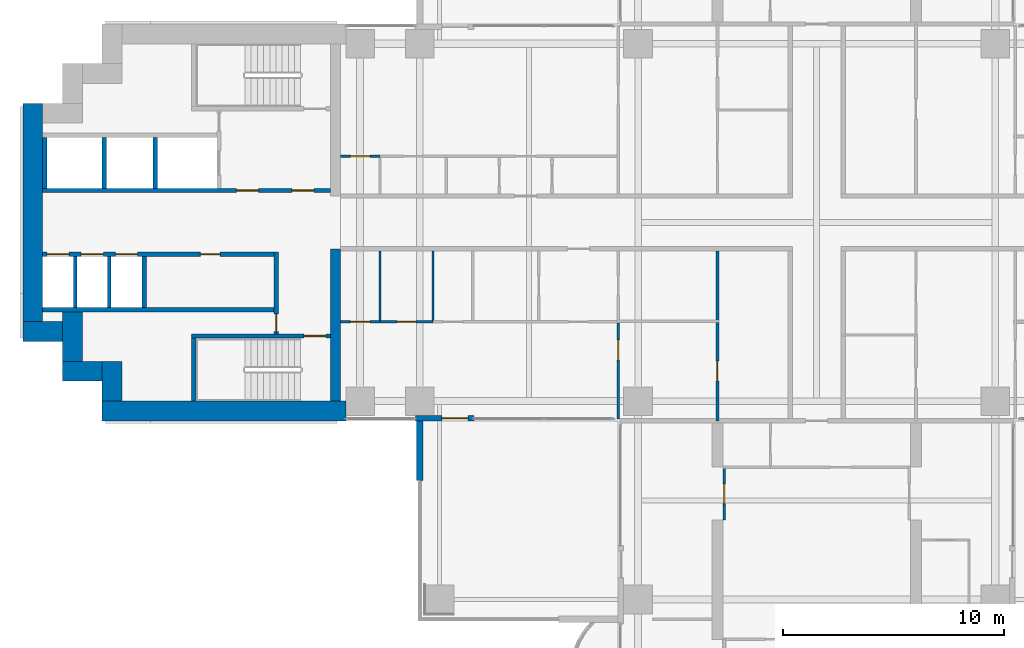
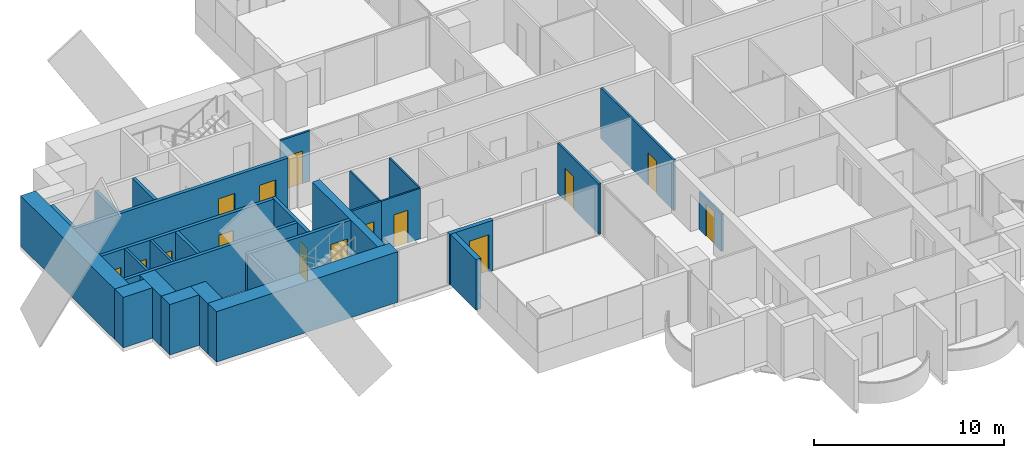
# One storey, part 11 of 22: 29 walls, 15 doors, 15 openings.
"""IFC4 building model written with IfcOpenShell, lengths in metres."""

import ifcopenshell
import ifcopenshell.guid

model = None  # the IFC model being written
_history = None  # IfcOwnerHistory: only IFC2X3 demands one
_inside = {}  # id of a spatial element -> (the spatial element, [elements in it])
_under = {}  # id of a project, library or spatial element -> (it, [spatial elements below it])
_declared = {}  # id of a project -> (the project, [libraries it declares])
_typed = {}  # id of a type object -> (the type object, [elements of that type])
_made_of = {}  # id of a material, layer set ... -> (it, [elements and type objects made of it])


def new_model(schema):
    """Start an empty IFC model of exactly this schema.

    Asked for "IFC4X3", IfcOpenShell would pick the latest addendum, in which some entities
    have other attributes; the version numbers below select the first issue.
    IFC2X3 requires an IfcOwnerHistory on every rooted entity: one is made here for all.
    """
    global model, _history
    if schema == "IFC4X3":
        model = ifcopenshell.file(schema_version=(4, 3, 0, 0))
    else:
        model = ifcopenshell.file(schema=schema)
    _inside.clear()
    _under.clear()
    _declared.clear()
    _typed.clear()
    _made_of.clear()
    _history = None
    if model.schema == "IFC2X3":
        org = make("IfcOrganization", Name="unknown")
        user = make(
            "IfcPersonAndOrganization",
            ThePerson=make("IfcPerson", FamilyName="unknown"),
            TheOrganization=org,
        )
        app = make(
            "IfcApplication",
            ApplicationDeveloper=org,
            Version="unknown",
            ApplicationFullName="unknown",
            ApplicationIdentifier="unknown",
        )
        _history = make(
            "IfcOwnerHistory",
            OwningUser=user,
            OwningApplication=app,
            ChangeAction="ADDED",
            CreationDate=0,
        )
    return model


def make(cls, **values):
    """One entity of the class cls with the attributes given. An attribute that is None is left unset."""
    return model.create_entity(
        cls, **{name: value for name, value in values.items() if value is not None}
    )


def rooted(cls, **values):
    """An entity with a GlobalId (a new one), such as an element, a storey or a relation."""
    return make(cls, GlobalId=ifcopenshell.guid.new(), OwnerHistory=_history, **values)


def si_unit(unit_type, name, prefix=None):
    """IfcSIUnit, for example si_unit("LENGTHUNIT", "METRE", prefix="MILLI")."""
    return make("IfcSIUnit", UnitType=unit_type, Prefix=prefix, Name=name)


def assignment(units):
    """IfcUnitAssignment: the units of a project."""
    return None if units is None else make("IfcUnitAssignment", Units=units)


def point(xyz):
    """IfcCartesianPoint."""
    return None if xyz is None else make("IfcCartesianPoint", Coordinates=xyz)


def direction(xyz):
    """IfcDirection."""
    return None if xyz is None else make("IfcDirection", DirectionRatios=xyz)


def frame(location, z_axis=None, x_axis=None):
    """IfcAxis2Placement3D, a coordinate frame: its origin and axes. An axis left out is left unset."""
    return make(
        "IfcAxis2Placement3D",
        Location=point(location),
        Axis=direction(z_axis),
        RefDirection=direction(x_axis),
    )


def frame_2d(location, x_axis=None):
    """IfcAxis2Placement2D, a coordinate frame in the plane: its origin and x axis."""
    return make(
        "IfcAxis2Placement2D", Location=point(location), RefDirection=direction(x_axis)
    )


def origin():
    """The frame at (0, 0, 0) with its axes left unset."""
    return frame((0.0, 0.0, 0.0))


def place(relative_to, where):
    """IfcLocalPlacement: puts the frame where relative to a parent placement (None: the world)."""
    return make(
        "IfcLocalPlacement", PlacementRelTo=relative_to, RelativePlacement=where
    )


def context(
    kind, dimensions, precision=None, world=None, true_north=None, identifier=None
):
    """IfcGeometricRepresentationContext, for example the 3D "Model" context."""
    return make(
        "IfcGeometricRepresentationContext",
        ContextIdentifier=identifier,
        ContextType=kind,
        CoordinateSpaceDimension=dimensions,
        Precision=precision,
        WorldCoordinateSystem=world,
        TrueNorth=true_north,
    )


def subcontext(parent, identifier, kind, view, scale=None):
    """IfcGeometricRepresentationSubContext, for example "Body" below "Model"."""
    return make(
        "IfcGeometricRepresentationSubContext",
        ContextIdentifier=identifier,
        ContextType=kind,
        ParentContext=parent,
        TargetScale=scale,
        TargetView=view,
    )


def project(units=None, contexts=None):
    """IfcProject with its units and contexts."""
    return rooted(
        "IfcProject",
        Name="project",
        RepresentationContexts=contexts,
        UnitsInContext=assignment(units),
    )


def spatial(cls, under=None, at=None, **own):
    """A site, building, storey or space (cls), placed at a placement, below another one or the project."""
    s = rooted(cls, ObjectPlacement=at, **own)
    if under is not None:
        _under.setdefault(under.id(), (under, []))[1].append(s)
    return s


def profile(cls, at=None, kind="AREA", **sizes):
    """A parametric profile (cls). Its sizes go by their IFC names, for example OverallWidth=200.0."""
    return make(cls, ProfileType=kind, Position=at, **sizes)


def rectangle(**sizes):
    """IfcRectangleProfileDef."""
    return profile("IfcRectangleProfileDef", **sizes)


def extrude(swept, where, along, depth):
    """IfcExtrudedAreaSolid: the profile swept, set in the frame where, extruded along a direction by depth."""
    return make(
        "IfcExtrudedAreaSolid",
        SweptArea=swept,
        Position=where,
        ExtrudedDirection=direction(along),
        Depth=depth,
    )


def shape(context_of_items, identifier, shape_type, items):
    """IfcShapeRepresentation: the items that make up one representation, for example the "Body"."""
    return make(
        "IfcShapeRepresentation",
        ContextOfItems=context_of_items,
        RepresentationIdentifier=identifier,
        RepresentationType=shape_type,
        Items=items,
    )


def material(Name=None, Category=None):
    """IfcMaterial."""
    return make("IfcMaterial", Name=Name, Category=Category)


def layer(
    of_material, thickness, ventilated=None, Name=None, Category=None, Priority=None
):
    """IfcMaterialLayer: one layer of a wall or slab, of a material (None: an air gap)."""
    return make(
        "IfcMaterialLayer",
        Material=of_material,
        LayerThickness=thickness,
        IsVentilated=ventilated,
        Name=Name,
        Category=Category,
        Priority=Priority,
    )


def layer_set(layers, Name=None):
    """IfcMaterialLayerSet."""
    return make("IfcMaterialLayerSet", MaterialLayers=layers, LayerSetName=Name)


def made_of(thing, what):
    """Note that an element or type object is made of a material, layer set ...; save() writes the relation."""
    if what is not None:
        _made_of.setdefault(what.id(), (what, []))[1].append(thing)
    return thing


def type_object(cls, material=None, **own):
    """A type object (cls), such as IfcWallType, which elements share."""
    return made_of(rooted(cls, **own), material)


def element(
    cls,
    number,
    at=None,
    inside=None,
    cuts=None,
    type_object=None,
    material=None,
    context=None,
    identifier="Body",
    shape_type=None,
    held_by="IfcProductDefinitionShape",
    body=None,
    shapes=None,
    **own,
):
    """One element of the class cls, such as IfcWall. Its Tag is "e" and its number.

    at: its placement. inside: the storey or other place that contains it. cuts: it is an
    opening in that element (IfcRelVoidsElement). A single representation is given by context,
    identifier, shape_type and body (its items); several are given by shapes. held_by: the class
    of the entity that holds the representations. save() writes the other relations.
    """
    e = rooted(cls, Tag="e%d" % number, ObjectPlacement=at, **own)
    if body is not None:
        shapes = [shape(context, identifier, shape_type, body)]
    if shapes is not None:
        e.Representation = make(held_by, Representations=shapes)
    if inside is not None:
        _inside.setdefault(inside.id(), (inside, []))[1].append(e)
    if cuts is not None:
        rooted(
            "IfcRelVoidsElement", RelatingBuildingElement=cuts, RelatedOpeningElement=e
        )
    if type_object is not None:
        _typed.setdefault(type_object.id(), (type_object, []))[1].append(e)
    return made_of(e, material)


def fill(opening, filler):
    """IfcRelFillsElement: the door or window that sits in an opening."""
    return rooted(
        "IfcRelFillsElement",
        RelatingOpeningElement=opening,
        RelatedBuildingElement=filler,
    )


def aggregate(whole, parts):
    """IfcRelAggregates: a whole, such as a stair, and the parts it consists of."""
    return rooted("IfcRelAggregates", RelatingObject=whole, RelatedObjects=parts)


def save(model, path):
    """Write the relations noted so far, then the file.

    IfcRelAggregates (storeys below a building ...), IfcRelContainedInSpatialStructure (elements
    in a storey), IfcRelDefinesByType, IfcRelAssociatesMaterial and IfcRelDeclares: one each for
    every whole, place, type object, material and project.
    """
    for whole, parts in _under.values():
        aggregate(whole, parts)
    for where, things in _inside.values():
        rooted(
            "IfcRelContainedInSpatialStructure",
            RelatedElements=things,
            RelatingStructure=where,
        )
    for kind, things in _typed.values():
        rooted("IfcRelDefinesByType", RelatedObjects=things, RelatingType=kind)
    for what, things in _made_of.values():
        rooted("IfcRelAssociatesMaterial", RelatedObjects=things, RelatingMaterial=what)
    for by, libraries in _declared.values():
        rooted("IfcRelDeclares", RelatingContext=by, RelatedDefinitions=libraries)
    model.write(path)


model = new_model("IFC4")

# Units and contexts
model_context = context("Model", 3, precision=1e-05, world=origin(), true_north=direction((0.0, 1.0)))
body_context = subcontext(model_context, "Body", "Model", "MODEL_VIEW")
ifc_project = project(units=[si_unit("LENGTHUNIT", "METRE"), si_unit("AREAUNIT", "SQUARE_METRE"), si_unit("VOLUMEUNIT", "CUBIC_METRE"), si_unit("PLANEANGLEUNIT", "RADIAN"), si_unit("MASSUNIT", "GRAM", prefix="KILO")], contexts=[model_context])

# Site, building, storey
site_placement = place(None, origin())
site = spatial("IfcSite", under=ifc_project, at=site_placement, CompositionType="ELEMENT")
building_placement = place(site_placement, origin())
building = spatial("IfcBuilding", under=site, at=building_placement, Name="Perihelion Cross Residences", CompositionType="ELEMENT")
storey_placement = place(building_placement, frame((0.0, 0.0, 50.5)))
storey = spatial("IfcBuildingStorey", under=building, at=storey_placement, Name="L09", CompositionType="ELEMENT", Elevation=50.5)

# Wall, opening, door
ifc_material_1 = material(Name="Concrete C30/37, bronze-clad", Category="concrete")
ifc_layer_1 = layer(ifc_material_1, 0.25)
ifc_layer_set_1 = layer_set([ifc_layer_1], Name="Bronze-clad pier wall 250")
wall_type_1 = type_object("IfcWallType", Name="Bronze-clad pier wall 250", PredefinedType="SOLIDWALL", material=ifc_layer_set_1)
wall_1_placement = place(storey_placement, frame((-18.199951171875, -8.875, 0.0), z_axis=(0.0, 0.0, 1.0), x_axis=(1.0, 0.0, 0.0)))
wall_1 = element("IfcWall", 1, at=wall_1_placement, inside=storey, type_object=wall_type_1, Name="Wall FW1 L09 west side south bay 2 pier", PredefinedType="SOLIDWALL", context=body_context, shape_type="SweptSolid", body=[
    extrude(rectangle(XDim=2.64990234375, YDim=0.25, at=frame_2d((1.324951171875, 0.0))), origin(), (0.0, 0.0, 1.0), 3.25),
])
opening_1_placement = place(wall_1_placement, frame((1.199951171875, 0.0, 0.0)))
opening_1 = element("IfcOpeningElement", 2, at=opening_1_placement, cuts=wall_1, Name="Opening L09.E09", PredefinedType="OPENING", context=body_context, shape_type="SweptSolid", body=[
    extrude(rectangle(XDim=1.199951171875, YDim=2.39990234375, at=frame_2d((0.60009765625, 1.199951171875))), frame((0.0, 0.135009765625, 0.0), z_axis=(0.0, -1.0, 0.0), x_axis=(1.0, 0.0, 0.0)), (0.0, 0.0, 1.0), 0.27001953125),
])
ifc_material_2 = material(Name="Bronze anodised aluminium, glazed", Category="aluminium")
door_type_1 = type_object("IfcDoorType", Name="Balcony door 1200 x 2400", OperationType="NOTDEFINED", PredefinedType="DOOR", material=ifc_material_2)
door_1_placement = place(opening_1_placement, origin())
door_1 = element("IfcDoor", 3, at=door_1_placement, inside=storey, type_object=door_type_1, Name="Door L09.E09 west side south bay 2", OperationType="SINGLE_SWING_RIGHT", OverallHeight=2.39990234375, OverallWidth=1.199951171875, PredefinedType="DOOR", context=body_context, shape_type="SweptSolid", body=[
    extrude(rectangle(XDim=1.199951171875, YDim=2.39990234375, at=frame_2d((0.60009765625, 1.199951171875))), frame((0.0, 0.02490234375, 0.0), z_axis=(0.0, -1.0, 0.0), x_axis=(1.0, 0.0, 0.0)), (0.0, 0.0, 1.0), 0.050048828125),
])
fill(opening_1, door_1)

# Walls
ifc_material_3 = material(Name="Concrete C60/75", Category="concrete")
ifc_layer_2 = layer(ifc_material_3, 0.449951171875)
ifc_layer_set_2 = layer_set([ifc_layer_2], Name="Core wall, inner 450")
wall_type_2 = type_object("IfcWallType", Name="Core wall, inner 450", PredefinedType="SHEAR", material=ifc_layer_set_2)
wall_2_placement = place(storey_placement, frame((-21.824951171875, -8.10009765625, 0.0), z_axis=(0.0, 0.0, 1.0), x_axis=(0.0, 1.0, 0.0)))
element("IfcWall", 4, at=wall_2_placement, inside=storey, type_object=wall_type_2, Name="West core core wall, inner", PredefinedType="SHEAR", context=body_context, shape_type="SweptSolid", body=[
    extrude(rectangle(XDim=6.900146484375, YDim=0.449951171875, at=frame_2d((3.4501953125, 0.0))), origin(), (0.0, 0.0, 1.0), 3.25),
])
ifc_material_4 = material(Name="Concrete C60/75", Category="concrete")
ifc_layer_3 = layer(ifc_material_4, 0.89990234375)
ifc_layer_set_3 = layer_set([ifc_layer_3], Name="Core wall, outer 900")
wall_type_3 = type_object("IfcWallType", Name="Core wall, outer 900", PredefinedType="SHEAR", material=ifc_layer_set_3)
wall_3_placement = place(storey_placement, frame((-32.39990234375, -8.550048828125, 0.0), z_axis=(0.0, 0.0, 1.0), x_axis=(1.0, 0.0, 0.0)))
element("IfcWall", 5, at=wall_3_placement, inside=storey, type_object=wall_type_3, Name="West core core wall, outer", PredefinedType="SHEAR", context=body_context, shape_type="SweptSolid", body=[
    extrude(rectangle(XDim=11.0498046875, YDim=0.89990234375, at=frame_2d((5.52490234375, 0.0))), origin(), (0.0, 0.0, 1.0), 3.25),
])
for number, where, z_axis, x_axis, name in (
    (6, (-31.949951171875, -8.10009765625, 0.0), (0.0, 0.0, 1.0), (0.0, 1.0, 0.0), "West core core wall, outer"),
    (7, (-34.199951171875, -6.75, 0.0), (0.0, 0.0, 1.0), (1.0, 0.0, 0.0), "West core core wall, outer"),
):
    element("IfcWall", number, at=place(storey_placement, frame(where, z_axis=z_axis, x_axis=x_axis)), inside=storey, type_object=wall_type_3, Name=name, PredefinedType="SHEAR", context=body_context, shape_type="SweptSolid", body=[
        extrude(rectangle(XDim=1.800048828125, YDim=0.89990234375, at=frame_2d((0.89990234375, 0.0))), origin(), (0.0, 0.0, 1.0), 3.25),
    ])
wall_4_placement = place(storey_placement, frame((-33.75, -6.300048828125, 0.0), z_axis=(0.0, 0.0, 1.0), x_axis=(0.0, 1.0, 0.0)))
element("IfcWall", 8, at=wall_4_placement, inside=storey, type_object=wall_type_3, Name="West core core wall, outer", PredefinedType="SHEAR", context=body_context, shape_type="SweptSolid", body=[
    extrude(rectangle(XDim=2.25, YDim=0.89990234375, at=frame_2d((1.125, 0.0))), origin(), (0.0, 0.0, 1.0), 3.25),
])
wall_5_placement = place(storey_placement, frame((-36.0, -4.949951171875, 0.0), z_axis=(0.0, 0.0, 1.0), x_axis=(1.0, 0.0, 0.0)))
element("IfcWall", 9, at=wall_5_placement, inside=storey, type_object=wall_type_3, Name="West core core wall, outer", PredefinedType="SHEAR", context=body_context, shape_type="SweptSolid", body=[
    extrude(rectangle(XDim=1.800048828125, YDim=0.89990234375, at=frame_2d((0.89990234375, 0.0))), origin(), (0.0, 0.0, 1.0), 3.25),
])
wall_6_placement = place(storey_placement, frame((-35.550048828125, -4.5, 0.0), z_axis=(0.0, 0.0, 1.0), x_axis=(0.0, 1.0, 0.0)))
element("IfcWall", 10, at=wall_6_placement, inside=storey, type_object=wall_type_3, Name="West core core wall, outer", PredefinedType="SHEAR", context=body_context, shape_type="SweptSolid", body=[
    extrude(rectangle(XDim=9.89990234375, YDim=0.89990234375, at=frame_2d((4.949951171875, 0.0))), origin(), (0.0, 0.0, 1.0), 3.25),
])

# Wall, opening, door
ifc_material_5 = material(Name="Plasterboard partition")
ifc_layer_4 = layer(ifc_material_5, 0.1201171875)
ifc_layer_set_4 = layer_set([ifc_layer_4], Name="Infill panel 120")
wall_type_4 = type_object("IfcWallType", Name="Infill panel 120", PredefinedType="PARTITIONING", material=ifc_layer_set_4)
wall_7_placement = place(storey_placement, frame((-4.18994140625, -11.10009765625, 0.0), z_axis=(0.0, 0.0, 1.0), x_axis=(0.0, -1.0, 0.0)))
wall_7 = element("IfcWall", 11, at=wall_7_placement, inside=storey, type_object=wall_type_4, Name="Partition L09 WI07", PredefinedType="PARTITIONING", context=body_context, shape_type="SweptSolid", body=[
    extrude(rectangle(XDim=2.39990234375, YDim=0.1201171875, at=frame_2d((1.199951171875, 0.0))), origin(), (0.0, 0.0, 1.0), 2.39990234375),
])
opening_2_placement = place(wall_7_placement, frame((0.75, 0.0, 0.0)))
opening_2 = element("IfcOpeningElement", 12, at=opening_2_placement, cuts=wall_7, Name="Opening L09.A57", PredefinedType="OPENING", context=body_context, shape_type="SweptSolid", body=[
    extrude(rectangle(XDim=0.89990234375, YDim=2.10009765625, at=frame_2d((0.449951171875, 1.050048828125))), frame((0.0, 0.070068359375, 0.0), z_axis=(0.0, -1.0, 0.0), x_axis=(1.0, 0.0, 0.0)), (0.0, 0.0, 1.0), 0.14013671875),
])
ifc_material_6 = material(Name="Timber door leaf", Category="wood")
door_type_2 = type_object("IfcDoorType", Name="Interior room door 900 x 2100", OperationType="SINGLE_SWING_LEFT", PredefinedType="DOOR", material=ifc_material_6)
door_2_placement = place(opening_2_placement, origin())
door_2 = element("IfcDoor", 13, at=door_2_placement, inside=storey, type_object=door_type_2, Name="Door L09.A57", OperationType="SINGLE_SWING_LEFT", OverallHeight=2.10009765625, OverallWidth=0.89990234375, PredefinedType="DOOR", context=body_context, shape_type="SweptSolid", body=[
    extrude(rectangle(XDim=0.89990234375, YDim=2.10009765625, at=frame_2d((0.449951171875, 1.050048828125))), frame((0.0, 0.02490234375, 0.0), z_axis=(0.0, -1.0, 0.0), x_axis=(1.0, 0.0, 0.0)), (0.0, 0.0, 1.0), 0.050048828125),
])
fill(opening_2, door_2)

ifc_material_7 = material(Name="Concrete C50/60", Category="concrete")
ifc_layer_5 = layer(ifc_material_7, 0.199951171875)
ifc_layer_set_5 = layer_set([ifc_layer_5], Name="Lobby wall 200")
wall_type_5 = type_object("IfcWallType", Name="Lobby wall 200", PredefinedType="SOLIDWALL", material=ifc_layer_set_5)
wall_8_placement = place(storey_placement, frame((-24.5, -5.050048828125, 0.0), z_axis=(0.0, 0.0, 1.0), x_axis=(0.0, 1.0, 0.0)))
wall_8 = element("IfcWall", 14, at=wall_8_placement, inside=storey, type_object=wall_type_5, Name="West core lobby wall", PredefinedType="SOLIDWALL", context=body_context, shape_type="SweptSolid", body=[
    extrude(rectangle(XDim=3.699951171875, YDim=0.199951171875, at=frame_2d((1.85009765625, 0.0))), origin(), (0.0, 0.0, 1.0), 3.25),
])
opening_3_placement = place(wall_8_placement, frame((0.10009765625, 0.0, 0.0)))
opening_3 = element("IfcOpeningElement", 15, at=opening_3_placement, cuts=wall_8, Name="Opening L09.C19", PredefinedType="OPENING", context=body_context, shape_type="SweptSolid", body=[
    extrude(rectangle(XDim=0.800048828125, YDim=2.10009765625, at=frame_2d((0.39990234375, 1.050048828125))), frame((0.0, 0.10986328125, 0.0), z_axis=(0.0, -1.0, 0.0), x_axis=(1.0, 0.0, 0.0)), (0.0, 0.0, 1.0), 0.219970703125),
])
ifc_material_8 = material(Name="Steel, powder coated", Category="steel")
door_type_3 = type_object("IfcDoorType", Name="Riser door 800", OperationType="SINGLE_SWING_LEFT", PredefinedType="DOOR", material=ifc_material_8)
door_3_placement = place(opening_3_placement, origin())
door_3 = element("IfcDoor", 16, at=door_3_placement, inside=storey, type_object=door_type_3, Name="West core riser door", OperationType="SINGLE_SWING_LEFT", OverallHeight=2.10009765625, OverallWidth=0.800048828125, PredefinedType="DOOR", context=body_context, shape_type="SweptSolid", body=[
    extrude(rectangle(XDim=0.800048828125, YDim=2.10009765625, at=frame_2d((0.39990234375, 1.050048828125))), frame((0.0, 0.02490234375, 0.0), z_axis=(0.0, -1.0, 0.0), x_axis=(1.0, 0.0, 0.0)), (0.0, 0.0, 1.0), 0.050048828125),
])
fill(opening_3, door_3)

ifc_material_9 = material(Name="Plasterboard partition")
ifc_layer_6 = layer(ifc_material_9, 0.1201171875)
ifc_layer_set_6 = layer_set([ifc_layer_6], Name="Partition wall 120")
wall_type_6 = type_object("IfcWallType", Name="Partition wall 120", PredefinedType="PARTITIONING", material=ifc_layer_set_6)
wall_9_placement = place(storey_placement, frame((-21.60009765625, 3.0, 0.0), z_axis=(0.0, 0.0, 1.0), x_axis=(1.0, 0.0, 0.0)))
wall_9 = element("IfcWall", 17, at=wall_9_placement, inside=storey, type_object=wall_type_6, Name="Partition L09 W038", PredefinedType="PARTITIONING", context=body_context, shape_type="SweptSolid", body=[
    extrude(rectangle(XDim=1.800048828125, YDim=0.1201171875, at=frame_2d((0.89990234375, 0.0))), origin(), (0.0, 0.0, 1.0), 3.25),
])
opening_4_placement = place(wall_9_placement, frame((0.449951171875, 0.0, 0.0)))
opening_4 = element("IfcOpeningElement", 18, at=opening_4_placement, cuts=wall_9, Name="Opening L09.A19", PredefinedType="OPENING", context=body_context, shape_type="SweptSolid", body=[
    extrude(rectangle(XDim=0.89990234375, YDim=2.10009765625, at=frame_2d((0.449951171875, 1.050048828125))), frame((0.0, 0.070068359375, 0.0), z_axis=(0.0, -1.0, 0.0), x_axis=(1.0, 0.0, 0.0)), (0.0, 0.0, 1.0), 0.14013671875),
])
door_4_placement = place(opening_4_placement, origin())
door_4 = element("IfcDoor", 19, at=door_4_placement, inside=storey, type_object=door_type_2, Name="Door L09.A19", OperationType="SINGLE_SWING_RIGHT", OverallHeight=2.10009765625, OverallWidth=0.89990234375, PredefinedType="DOOR", context=body_context, shape_type="SweptSolid", body=[
    extrude(rectangle(XDim=0.89990234375, YDim=2.10009765625, at=frame_2d((0.449951171875, 1.050048828125))), frame((0.0, 0.02490234375, 0.0), z_axis=(0.0, -1.0, 0.0), x_axis=(1.0, 0.0, 0.0)), (0.0, 0.0, 1.0), 0.050048828125),
])
fill(opening_4, door_4)

wall_10_placement = place(storey_placement, frame((-19.800048828125, -4.5, 0.0), z_axis=(0.0, 0.0, 1.0), x_axis=(-1.0, 0.0, 0.0)))
wall_10 = element("IfcWall", 20, at=wall_10_placement, inside=storey, type_object=wall_type_6, Name="Partition L09 W049", PredefinedType="PARTITIONING", context=body_context, shape_type="SweptSolid", body=[
    extrude(rectangle(XDim=1.800048828125, YDim=0.1201171875, at=frame_2d((0.89990234375, 0.0))), origin(), (0.0, 0.0, 1.0), 3.25),
])
opening_5_placement = place(wall_10_placement, frame((0.449951171875, 0.0, 0.0)))
opening_5 = element("IfcOpeningElement", 21, at=opening_5_placement, cuts=wall_10, Name="Opening L09.A25", PredefinedType="OPENING", context=body_context, shape_type="SweptSolid", body=[
    extrude(rectangle(XDim=0.89990234375, YDim=2.10009765625, at=frame_2d((0.449951171875, 1.050048828125))), frame((0.0, 0.070068359375, 0.0), z_axis=(0.0, -1.0, 0.0), x_axis=(1.0, 0.0, 0.0)), (0.0, 0.0, 1.0), 0.14013671875),
])
door_5_placement = place(opening_5_placement, origin())
door_5 = element("IfcDoor", 22, at=door_5_placement, inside=storey, type_object=door_type_2, Name="Door L09.A25", OperationType="SINGLE_SWING_LEFT", OverallHeight=2.10009765625, OverallWidth=0.89990234375, PredefinedType="DOOR", context=body_context, shape_type="SweptSolid", body=[
    extrude(rectangle(XDim=0.89990234375, YDim=2.10009765625, at=frame_2d((0.449951171875, 1.050048828125))), frame((0.0, 0.02490234375, 0.0), z_axis=(0.0, -1.0, 0.0), x_axis=(1.0, 0.0, 0.0)), (0.0, 0.0, 1.0), 0.050048828125),
])
fill(opening_5, door_5)

wall_11_placement = place(storey_placement, frame((-9.0, -4.56005859375, 0.0), z_axis=(0.0, 0.0, 1.0), x_axis=(0.0, -1.0, 0.0)))
wall_11 = element("IfcWall", 23, at=wall_11_placement, inside=storey, type_object=wall_type_6, Name="Partition L09 W050", PredefinedType="PARTITIONING", context=body_context, shape_type="SweptSolid", body=[
    extrude(rectangle(XDim=4.35986328125, YDim=0.1201171875, at=frame_2d((2.179931640625, 0.0))), origin(), (0.0, 0.0, 1.0), 3.25),
])
opening_6_placement = place(wall_11_placement, frame((0.77001953125, 0.0, 0.0)))
opening_6 = element("IfcOpeningElement", 24, at=opening_6_placement, cuts=wall_11, Name="Opening L09.A30", PredefinedType="OPENING", context=body_context, shape_type="SweptSolid", body=[
    extrude(rectangle(XDim=0.89990234375, YDim=2.10009765625, at=frame_2d((0.449951171875, 1.050048828125))), frame((0.0, 0.070068359375, 0.0), z_axis=(0.0, -1.0, 0.0), x_axis=(1.0, 0.0, 0.0)), (0.0, 0.0, 1.0), 0.14013671875),
])
door_6_placement = place(opening_6_placement, origin())
door_6 = element("IfcDoor", 25, at=door_6_placement, inside=storey, type_object=door_type_2, Name="Door L09.A30", OperationType="SINGLE_SWING_LEFT", OverallHeight=2.10009765625, OverallWidth=0.89990234375, PredefinedType="DOOR", context=body_context, shape_type="SweptSolid", body=[
    extrude(rectangle(XDim=0.89990234375, YDim=2.10009765625, at=frame_2d((0.449951171875, 1.050048828125))), frame((0.0, 0.02490234375, 0.0), z_axis=(0.0, -1.0, 0.0), x_axis=(1.0, 0.0, 0.0)), (0.0, 0.0, 1.0), 0.050048828125),
])
fill(opening_6, door_6)

wall_12_placement = place(storey_placement, frame((-4.5, -1.300048828125, 0.0), z_axis=(0.0, 0.0, 1.0), x_axis=(0.0, -1.0, 0.0)))
wall_12 = element("IfcWall", 26, at=wall_12_placement, inside=storey, type_object=wall_type_6, Name="Partition L09 W052", PredefinedType="PARTITIONING", context=body_context, shape_type="SweptSolid", body=[
    extrude(rectangle(XDim=7.699951171875, YDim=0.1201171875, at=frame_2d((3.85009765625, 0.0))), origin(), (0.0, 0.0, 1.0), 3.25),
])
opening_7_placement = place(wall_12_placement, frame((4.988037109375, 0.0, 0.0)))
opening_7 = element("IfcOpeningElement", 27, at=opening_7_placement, cuts=wall_12, Name="Opening L09.A29", PredefinedType="OPENING", context=body_context, shape_type="SweptSolid", body=[
    extrude(rectangle(XDim=0.89990234375, YDim=2.10009765625, at=frame_2d((0.449951171875, 1.050048828125))), frame((0.0, 0.070068359375, 0.0), z_axis=(0.0, -1.0, 0.0), x_axis=(1.0, 0.0, 0.0)), (0.0, 0.0, 1.0), 0.14013671875),
])
door_7_placement = place(opening_7_placement, origin())
door_7 = element("IfcDoor", 28, at=door_7_placement, inside=storey, type_object=door_type_2, Name="Door L09.A29", OperationType="SINGLE_SWING_RIGHT", OverallHeight=2.10009765625, OverallWidth=0.89990234375, PredefinedType="DOOR", context=body_context, shape_type="SweptSolid", body=[
    extrude(rectangle(XDim=0.89990234375, YDim=2.10009765625, at=frame_2d((0.449951171875, 1.050048828125))), frame((0.0, 0.02490234375, 0.0), z_axis=(0.0, -1.0, 0.0), x_axis=(1.0, 0.0, 0.0)), (0.0, 0.0, 1.0), 0.050048828125),
])
fill(opening_7, door_7)

# Walls
ifc_material_10 = material(Name="Precast concrete C50/60", Category="concrete")
ifc_layer_7 = layer(ifc_material_10, 0.300048828125)
ifc_layer_set_7 = layer_set([ifc_layer_7], Name="Precast concrete C50/60 blade wall 300")
wall_type_7 = type_object("IfcWallType", Name="Precast concrete C50/60 blade wall 300", PredefinedType="SOLIDWALL", material=ifc_layer_set_7)
wall_13_placement = place(storey_placement, frame((-18.0, -8.75, 0.0), z_axis=(0.0, 0.0, 1.0), x_axis=(0.0, -1.0, 0.0)))
element("IfcWall", 29, at=wall_13_placement, inside=storey, type_object=wall_type_7, Name="Wall BL1 L09 no. 1", PredefinedType="SOLIDWALL", context=body_context, shape_type="SweptSolid", body=[
    extrude(rectangle(XDim=2.949951171875, YDim=0.300048828125, at=frame_2d((1.47509765625, 0.0))), origin(), (0.0, 0.0, 1.0), 3.25),
])
ifc_material_11 = material(Name="Concrete C50/60", Category="concrete")
ifc_layer_8 = layer(ifc_material_11, 0.14990234375)
ifc_layer_set_8 = layer_set([ifc_layer_8], Name="Shaft wall 150")
wall_type_8 = type_object("IfcWallType", Name="Shaft wall 150", PredefinedType="SOLIDWALL", material=ifc_layer_set_8)
for number, where, z_axis, x_axis, name in (
    (30, (-32.074951171875, -3.85009765625, 0.0), (0.0, 0.0, 1.0), (0.0, 1.0, 0.0), "West core shaft wall"),
    (31, (-33.625, -3.85009765625, 0.0), (0.0, 0.0, 1.0), (0.0, 1.0, 0.0), "West core shaft wall"),
):
    element("IfcWall", number, at=place(storey_placement, frame(where, z_axis=z_axis, x_axis=x_axis)), inside=storey, type_object=wall_type_8, Name=name, PredefinedType="SOLIDWALL", context=body_context, shape_type="SweptSolid", body=[
        extrude(rectangle(XDim=2.300048828125, YDim=0.14990234375, at=frame_2d((1.14990234375, 0.0))), origin(), (0.0, 0.0, 1.0), 3.25),
    ])

# Wall, openings, doors
ifc_material_12 = material(Name="Concrete C50/60", Category="concrete")
ifc_layer_9 = layer(ifc_material_12, 0.199951171875)
ifc_layer_set_9 = layer_set([ifc_layer_9], Name="Shaft wall 200")
wall_type_9 = type_object("IfcWallType", Name="Shaft wall 200", PredefinedType="SOLIDWALL", material=ifc_layer_set_9)
wall_14_placement = place(storey_placement, frame((-35.10009765625, 1.449951171875, 0.0), z_axis=(0.0, 0.0, 1.0), x_axis=(1.0, 0.0, 0.0)))
wall_14 = element("IfcWall", 32, at=wall_14_placement, inside=storey, type_object=wall_type_9, Name="West core shaft wall", PredefinedType="SOLIDWALL", context=body_context, shape_type="SweptSolid", body=[
    extrude(rectangle(XDim=13.050048828125, YDim=0.199951171875, at=frame_2d((6.52490234375, 0.0))), origin(), (0.0, 0.0, 1.0), 3.25),
])
opening_8_placement = place(wall_14_placement, frame((11.300048828125, 0.0, 0.0)))
opening_8 = element("IfcOpeningElement", 33, at=opening_8_placement, cuts=wall_14, Name="Opening L09.C18", PredefinedType="OPENING", context=body_context, shape_type="SweptSolid", body=[
    extrude(rectangle(XDim=1.0, YDim=2.10009765625, at=frame_2d((0.5, 1.050048828125))), frame((0.0, 0.10986328125, 0.0), z_axis=(0.0, -1.0, 0.0), x_axis=(1.0, 0.0, 0.0)), (0.0, 0.0, 1.0), 0.219970703125),
])
opening_9_placement = place(wall_14_placement, frame((8.800048828125, 0.0, 0.0)))
opening_9 = element("IfcOpeningElement", 34, at=opening_9_placement, cuts=wall_14, Name="Opening L09.C20", PredefinedType="OPENING", context=body_context, shape_type="SweptSolid", body=[
    extrude(rectangle(XDim=1.0, YDim=2.10009765625, at=frame_2d((0.5, 1.050048828125))), frame((0.0, 0.10986328125, 0.0), z_axis=(0.0, -1.0, 0.0), x_axis=(1.0, 0.0, 0.0)), (0.0, 0.0, 1.0), 0.219970703125),
])
ifc_material_13 = material(Name="Steel, powder coated", Category="steel")
door_type_4 = type_object("IfcDoorType", Name="Lobby door 1000", OperationType="SINGLE_SWING_LEFT", PredefinedType="DOOR", material=ifc_material_13)
door_8_placement = place(opening_8_placement, origin())
door_8 = element("IfcDoor", 35, at=door_8_placement, inside=storey, type_object=door_type_4, Name="West core firefighting lobby door", OperationType="SINGLE_SWING_LEFT", OverallHeight=2.10009765625, OverallWidth=1.0, PredefinedType="DOOR", context=body_context, shape_type="SweptSolid", body=[
    extrude(rectangle(XDim=1.0, YDim=2.10009765625, at=frame_2d((0.5, 1.050048828125))), frame((0.0, 0.02490234375, 0.0), z_axis=(0.0, -1.0, 0.0), x_axis=(1.0, 0.0, 0.0)), (0.0, 0.0, 1.0), 0.050048828125),
])
fill(opening_8, door_8)
door_9_placement = place(opening_9_placement, origin())
door_9 = element("IfcDoor", 36, at=door_9_placement, inside=storey, type_object=door_type_4, Name="West core firefighting lobby door", OperationType="SINGLE_SWING_LEFT", OverallHeight=2.10009765625, OverallWidth=1.0, PredefinedType="DOOR", context=body_context, shape_type="SweptSolid", body=[
    extrude(rectangle(XDim=1.0, YDim=2.10009765625, at=frame_2d((0.5, 1.050048828125))), frame((0.0, 0.02490234375, 0.0), z_axis=(0.0, -1.0, 0.0), x_axis=(1.0, 0.0, 0.0)), (0.0, 0.0, 1.0), 0.050048828125),
])
fill(opening_9, door_9)

wall_15_placement = place(storey_placement, frame((-35.10009765625, -1.449951171875, 0.0), z_axis=(0.0, 0.0, 1.0), x_axis=(1.0, 0.0, 0.0)))
wall_15 = element("IfcWall", 37, at=wall_15_placement, inside=storey, type_object=wall_type_9, Name="West core shaft wall", PredefinedType="SOLIDWALL", context=body_context, shape_type="SweptSolid", body=[
    extrude(rectangle(XDim=10.5, YDim=0.199951171875, at=frame_2d((5.25, 0.0))), origin(), (0.0, 0.0, 1.0), 3.25),
])
opening_10_placement = place(wall_15_placement, frame((3.300048828125, 0.0, 0.0)))
opening_10 = element("IfcOpeningElement", 38, at=opening_10_placement, cuts=wall_15, Name="Opening L09.C13", PredefinedType="OPENING", context=body_context, shape_type="SweptSolid", body=[
    extrude(rectangle(XDim=1.0, YDim=2.10009765625, at=frame_2d((0.5, 1.050048828125))), frame((0.0, 0.10986328125, 0.0), z_axis=(0.0, -1.0, 0.0), x_axis=(1.0, 0.0, 0.0)), (0.0, 0.0, 1.0), 0.219970703125),
])
opening_11_placement = place(wall_15_placement, frame((1.75, 0.0, 0.0)))
opening_11 = element("IfcOpeningElement", 39, at=opening_11_placement, cuts=wall_15, Name="Opening L09.C14", PredefinedType="OPENING", context=body_context, shape_type="SweptSolid", body=[
    extrude(rectangle(XDim=1.0, YDim=2.10009765625, at=frame_2d((0.5, 1.050048828125))), frame((0.0, 0.10986328125, 0.0), z_axis=(0.0, -1.0, 0.0), x_axis=(1.0, 0.0, 0.0)), (0.0, 0.0, 1.0), 0.219970703125),
])
opening_12_placement = place(wall_15_placement, frame((0.199951171875, 0.0, 0.0)))
opening_12 = element("IfcOpeningElement", 40, at=opening_12_placement, cuts=wall_15, Name="Opening L09.C15", PredefinedType="OPENING", context=body_context, shape_type="SweptSolid", body=[
    extrude(rectangle(XDim=1.0, YDim=2.10009765625, at=frame_2d((0.5, 1.050048828125))), frame((0.0, 0.10986328125, 0.0), z_axis=(0.0, -1.0, 0.0), x_axis=(1.0, 0.0, 0.0)), (0.0, 0.0, 1.0), 0.219970703125),
])
opening_13_placement = place(wall_15_placement, frame((7.14990234375, 0.0, 0.0)))
opening_13 = element("IfcOpeningElement", 41, at=opening_13_placement, cuts=wall_15, Name="Opening L09.C22", PredefinedType="OPENING", context=body_context, shape_type="SweptSolid", body=[
    extrude(rectangle(XDim=0.89990234375, YDim=2.10009765625, at=frame_2d((0.449951171875, 1.050048828125))), frame((0.0, 0.10986328125, 0.0), z_axis=(0.0, -1.0, 0.0), x_axis=(1.0, 0.0, 0.0)), (0.0, 0.0, 1.0), 0.219970703125),
])
ifc_material_14 = material(Name="Stainless steel", Category="steel")
door_type_5 = type_object("IfcDoorType", Name="Landing door 1000", OperationType="DOUBLE_DOOR_SLIDING", PredefinedType="DOOR", material=ifc_material_14)
door_10_placement = place(opening_10_placement, origin())
door_10 = element("IfcDoor", 42, at=door_10_placement, inside=storey, type_object=door_type_5, Name="Landing door, West core low-rise lift 1", OperationType="DOUBLE_DOOR_SLIDING", OverallHeight=2.10009765625, OverallWidth=1.0, PredefinedType="DOOR", context=body_context, shape_type="SweptSolid", body=[
    extrude(rectangle(XDim=1.0, YDim=2.10009765625, at=frame_2d((0.5, 1.050048828125))), frame((0.0, 0.02490234375, 0.0), z_axis=(0.0, -1.0, 0.0), x_axis=(1.0, 0.0, 0.0)), (0.0, 0.0, 1.0), 0.050048828125),
])
fill(opening_10, door_10)
door_11_placement = place(opening_11_placement, origin())
door_11 = element("IfcDoor", 43, at=door_11_placement, inside=storey, type_object=door_type_5, Name="Landing door, West core low-rise lift 2", OperationType="DOUBLE_DOOR_SLIDING", OverallHeight=2.10009765625, OverallWidth=1.0, PredefinedType="DOOR", context=body_context, shape_type="SweptSolid", body=[
    extrude(rectangle(XDim=1.0, YDim=2.10009765625, at=frame_2d((0.5, 1.050048828125))), frame((0.0, 0.02490234375, 0.0), z_axis=(0.0, -1.0, 0.0), x_axis=(1.0, 0.0, 0.0)), (0.0, 0.0, 1.0), 0.050048828125),
])
fill(opening_11, door_11)
door_12_placement = place(opening_12_placement, origin())
door_12 = element("IfcDoor", 44, at=door_12_placement, inside=storey, type_object=door_type_5, Name="Landing door, West core low-rise lift 3", OperationType="DOUBLE_DOOR_SLIDING", OverallHeight=2.10009765625, OverallWidth=1.0, PredefinedType="DOOR", context=body_context, shape_type="SweptSolid", body=[
    extrude(rectangle(XDim=1.0, YDim=2.10009765625, at=frame_2d((0.5, 1.050048828125))), frame((0.0, 0.02490234375, 0.0), z_axis=(0.0, -1.0, 0.0), x_axis=(1.0, 0.0, 0.0)), (0.0, 0.0, 1.0), 0.050048828125),
])
fill(opening_12, door_12)
ifc_material_15 = material(Name="Steel, powder coated", Category="steel")
door_type_6 = type_object("IfcDoorType", Name="Service room door 900", OperationType="SINGLE_SWING_LEFT", PredefinedType="DOOR", material=ifc_material_15)
door_13_placement = place(opening_13_placement, origin())
door_13 = element("IfcDoor", 45, at=door_13_placement, inside=storey, type_object=door_type_6, Name="West core service room door", OperationType="SINGLE_SWING_LEFT", OverallHeight=2.10009765625, OverallWidth=0.89990234375, PredefinedType="DOOR", context=body_context, shape_type="SweptSolid", body=[
    extrude(rectangle(XDim=0.89990234375, YDim=2.10009765625, at=frame_2d((0.449951171875, 1.050048828125))), frame((0.0, 0.02490234375, 0.0), z_axis=(0.0, -1.0, 0.0), x_axis=(1.0, 0.0, 0.0)), (0.0, 0.0, 1.0), 0.050048828125),
])
fill(opening_13, door_13)

# Walls
wall_16_placement = place(storey_placement, frame((-35.10009765625, -3.949951171875, 0.0), z_axis=(0.0, 0.0, 1.0), x_axis=(1.0, 0.0, 0.0)))
element("IfcWall", 46, at=wall_16_placement, inside=storey, type_object=wall_type_9, Name="West core shaft wall", PredefinedType="SOLIDWALL", context=body_context, shape_type="SweptSolid", body=[
    extrude(rectangle(XDim=10.5, YDim=0.199951171875, at=frame_2d((5.25, 0.0))), origin(), (0.0, 0.0, 1.0), 3.25),
])
for number, where, z_axis, x_axis, name in (
    (47, (-30.0, 1.550048828125, 0.0), (0.0, 0.0, 1.0), (0.0, 1.0, 0.0), "West core shaft wall"),
    (48, (-32.300048828125, 1.550048828125, 0.0), (0.0, 0.0, 1.0), (0.0, 1.0, 0.0), "West core shaft wall"),
    (49, (-35.0, 1.550048828125, 0.0), (0.0, 0.0, 1.0), (0.0, 1.0, 0.0), "West core shaft wall"),
    (50, (-30.5, -3.85009765625, 0.0), (0.0, 0.0, 1.0), (0.0, 1.0, 0.0), "West core shaft wall"),
):
    element("IfcWall", number, at=place(storey_placement, frame(where, z_axis=z_axis, x_axis=x_axis)), inside=storey, type_object=wall_type_9, Name=name, PredefinedType="SOLIDWALL", context=body_context, shape_type="SweptSolid", body=[
        extrude(rectangle(XDim=2.300048828125, YDim=0.199951171875, at=frame_2d((1.14990234375, 0.0))), origin(), (0.0, 0.0, 1.0), 3.25),
    ])

# Wall, opening, door
ifc_material_16 = material(Name="Concrete C50/60", Category="concrete")
ifc_layer_10 = layer(ifc_material_16, 0.199951171875)
ifc_layer_set_10 = layer_set([ifc_layer_10], Name="Stair wall 200")
wall_type_10 = type_object("IfcWallType", Name="Stair wall 200", PredefinedType="SOLIDWALL", material=ifc_layer_set_10)
wall_17_placement = place(storey_placement, frame((-28.35009765625, -5.14990234375, 0.0), z_axis=(0.0, 0.0, 1.0), x_axis=(1.0, 0.0, 0.0)))
wall_17 = element("IfcWall", 51, at=wall_17_placement, inside=storey, type_object=wall_type_10, Name="West core stair wall", PredefinedType="SOLIDWALL", context=body_context, shape_type="SweptSolid", body=[
    extrude(rectangle(XDim=6.300048828125, YDim=0.199951171875, at=frame_2d((3.14990234375, 0.0))), origin(), (0.0, 0.0, 1.0), 3.25),
])
opening_14_placement = place(wall_17_placement, frame((5.10009765625, 0.0, 0.0)))
opening_14 = element("IfcOpeningElement", 52, at=opening_14_placement, cuts=wall_17, Name="Opening L09.C16", PredefinedType="OPENING", context=body_context, shape_type="SweptSolid", body=[
    extrude(rectangle(XDim=1.0, YDim=2.10009765625, at=frame_2d((0.5, 1.050048828125))), frame((0.0, 0.10986328125, 0.0), z_axis=(0.0, -1.0, 0.0), x_axis=(1.0, 0.0, 0.0)), (0.0, 0.0, 1.0), 0.219970703125),
])
ifc_material_17 = material(Name="Steel, powder coated", Category="steel")
door_type_7 = type_object("IfcDoorType", Name="Stair door 1000", OperationType="SINGLE_SWING_LEFT", PredefinedType="DOOR", material=ifc_material_17)
door_14_placement = place(opening_14_placement, origin())
door_14 = element("IfcDoor", 53, at=door_14_placement, inside=storey, type_object=door_type_7, Name="West core stair door", OperationType="SINGLE_SWING_LEFT", OverallHeight=2.10009765625, OverallWidth=1.0, PredefinedType="DOOR", context=body_context, shape_type="SweptSolid", body=[
    extrude(rectangle(XDim=1.0, YDim=2.10009765625, at=frame_2d((0.5, 1.050048828125))), frame((0.0, 0.02490234375, 0.0), z_axis=(0.0, -1.0, 0.0), x_axis=(1.0, 0.0, 0.0)), (0.0, 0.0, 1.0), 0.050048828125),
])
fill(opening_14, door_14)

# Walls
wall_18_placement = place(storey_placement, frame((-28.25, -8.10009765625, 0.0), z_axis=(0.0, 0.0, 1.0), x_axis=(0.0, 1.0, 0.0)))
element("IfcWall", 54, at=wall_18_placement, inside=storey, type_object=wall_type_10, Name="West core stair wall", PredefinedType="SOLIDWALL", context=body_context, shape_type="SweptSolid", body=[
    extrude(rectangle(XDim=2.85009765625, YDim=0.199951171875, at=frame_2d((1.425048828125, 0.0))), origin(), (0.0, 0.0, 1.0), 3.25),
])
ifc_material_18 = material(Name="Plasterboard partition")
ifc_layer_11 = layer(ifc_material_18, 0.10009765625)
ifc_layer_set_11 = layer_set([ifc_layer_11], Name="Wet room wall 100")
wall_type_11 = type_object("IfcWallType", Name="Wet room wall 100", PredefinedType="PARTITIONING", material=ifc_layer_set_11)
for number, where, z_axis, x_axis, name in (
    (55, (-17.39990234375, -4.43994140625, 0.0), (0.0, 0.0, 1.0), (0.0, 1.0, 0.0), "Partition L09 W046"),
    (56, (-19.800048828125, -4.43994140625, 0.0), (0.0, 0.0, 1.0), (0.0, 1.0, 0.0), "Partition L09 W047"),
):
    element("IfcWall", number, at=place(storey_placement, frame(where, z_axis=z_axis, x_axis=x_axis)), inside=storey, type_object=wall_type_11, Name=name, PredefinedType="PARTITIONING", context=body_context, shape_type="SweptSolid", body=[
        extrude(rectangle(XDim=3.139892578125, YDim=0.10009765625, at=frame_2d((1.56982421875, 0.0))), origin(), (0.0, 0.0, 1.0), 3.25),
    ])

# Wall, opening, door
wall_19_placement = place(storey_placement, frame((-17.39990234375, -4.5, 0.0), z_axis=(0.0, 0.0, 1.0), x_axis=(-1.0, 0.0, 0.0)))
wall_19 = element("IfcWall", 57, at=wall_19_placement, inside=storey, type_object=wall_type_11, Name="Partition L09 W048", PredefinedType="PARTITIONING", context=body_context, shape_type="SweptSolid", body=[
    extrude(rectangle(XDim=2.400146484375, YDim=0.10009765625, at=frame_2d((1.2001953125, 0.0))), origin(), (0.0, 0.0, 1.0), 3.25),
])
opening_15_placement = place(wall_19_placement, frame((0.77490234375, 0.0, 0.0)))
opening_15 = element("IfcOpeningElement", 58, at=opening_15_placement, cuts=wall_19, Name="Opening L09.A24", PredefinedType="OPENING", context=body_context, shape_type="SweptSolid", body=[
    extrude(rectangle(XDim=0.85009765625, YDim=2.10009765625, at=frame_2d((0.425048828125, 1.050048828125))), frame((0.0, 0.06005859375, 0.0), z_axis=(0.0, -1.0, 0.0), x_axis=(1.0, 0.0, 0.0)), (0.0, 0.0, 1.0), 0.1201171875),
])
ifc_material_19 = material(Name="Timber door leaf", Category="wood")
door_type_8 = type_object("IfcDoorType", Name="Interior bathroom door 850 x 2100", OperationType="SINGLE_SWING_LEFT", PredefinedType="DOOR", material=ifc_material_19)
door_15_placement = place(opening_15_placement, origin())
door_15 = element("IfcDoor", 59, at=door_15_placement, inside=storey, type_object=door_type_8, Name="Door L09.A24", OperationType="SINGLE_SWING_LEFT", OverallHeight=2.10009765625, OverallWidth=0.85009765625, PredefinedType="DOOR", context=body_context, shape_type="SweptSolid", body=[
    extrude(rectangle(XDim=0.85009765625, YDim=2.10009765625, at=frame_2d((0.425048828125, 1.050048828125))), frame((0.0, 0.02490234375, 0.0), z_axis=(0.0, -1.0, 0.0), x_axis=(1.0, 0.0, 0.0)), (0.0, 0.0, 1.0), 0.050048828125),
])
fill(opening_15, door_15)

save(model, "model.ifc")
